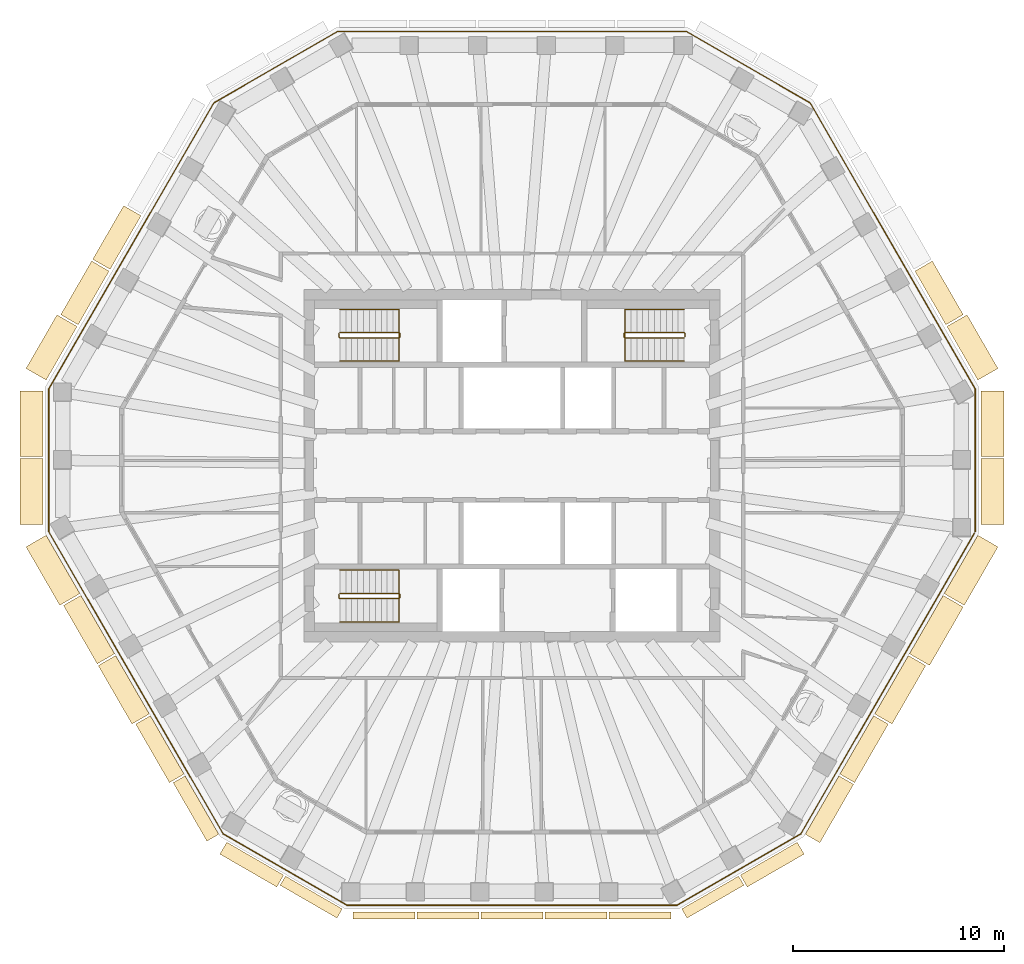
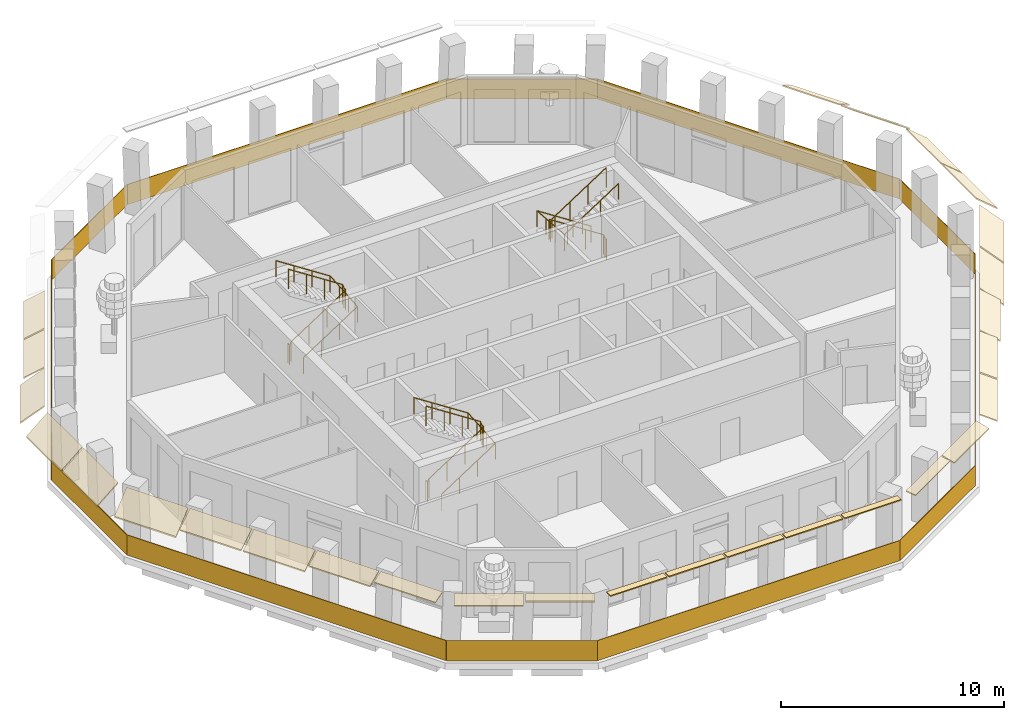
# One storey, part 8 of 11: 28 coverings, 7 railings.
"""IFC4 building model written with IfcOpenShell, lengths in metres."""

from ifc_helpers import new_model, si_unit, direction, frame, origin, origin_2d, place, context, subcontext, project, spatial, polyline, rectangle, circle, outline, extrude, material, layer, layer_set, type_object, element, save


model = new_model("IFC4")

# Units and contexts
model_context = context("Model", 3, precision=1e-05, world=origin(), true_north=direction((0.0, 1.0)))
body_context = subcontext(model_context, "Body", "Model", "MODEL_VIEW")
ifc_project = project(units=[si_unit("LENGTHUNIT", "METRE"), si_unit("AREAUNIT", "SQUARE_METRE"), si_unit("VOLUMEUNIT", "CUBIC_METRE"), si_unit("PLANEANGLEUNIT", "RADIAN"), si_unit("MASSUNIT", "GRAM", prefix="KILO")], contexts=[model_context])

# Site, building, storey
site_placement = place(None, origin())
site = spatial("IfcSite", under=ifc_project, at=site_placement, CompositionType="ELEMENT")
building_placement = place(site_placement, origin())
building = spatial("IfcBuilding", under=site, at=building_placement, Name="Frailejon Research Tower", CompositionType="ELEMENT")
storey_placement = place(building_placement, frame((0.0, 0.0, 316.60009765625)))
storey = spatial("IfcBuildingStorey", under=building, at=storey_placement, Name="L70", CompositionType="ELEMENT", Elevation=316.60009765625)

# Coverings
ifc_material_1 = material(Name="Precast concrete C50/60", Category="concrete")
ifc_layer_1 = layer(ifc_material_1, 0.06005859375)
ifc_layer_set_1 = layer_set([ifc_layer_1], Name="Brim blade depth 1100")
covering_type_1 = type_object("IfcCoveringType", Name="Brim blade depth 1100", PredefinedType="CLADDING", material=ifc_layer_set_1)
for number, where, z_axis, x_axis, name in (
    (1, (22.1953125, 0.3271484375, 3.849853515625), (0.0, -1.0, 0.0), (1.0, 0.0, 0.0), "Brim blade L70"),
    (2, (22.1953125, 3.533203125, 3.849853515625), (0.0, -1.0, 0.0), (1.0, 0.0, 0.0), "Brim blade L70"),
):
    element("IfcCovering", number, at=place(storey_placement, frame(where, z_axis=z_axis, x_axis=x_axis)), inside=storey, type_object=covering_type_1, Name=name, PredefinedType="CLADDING", context=body_context, shape_type="SweptSolid", body=[
        extrude(outline(polyline([(0.0, -0.078369140625), (1.10009765625, -1.001220703125), (1.10009765625, -0.923095703125), (0.0, 0.0), (0.0, -0.078369140625)])), origin(), (0.0, 0.0, 1.0), 3.106201171875),
    ])
for number, where, z_axis, x_axis, name in (
    (3, (20.59228515625, 6.5869140625, 3.849853515625), (0.500007396286, -0.866021133495, 0.0), (0.866021133495, 0.500007396286, 0.0), "Brim blade L70"),
    (4, (-22.056396484375, 4.051513671875, 3.849853515625), (0.500007396286, 0.866021133495, 0.0), (-0.866021133495, 0.500007396286, 0.0), "Brim blade L70"),
):
    element("IfcCovering", number, at=place(storey_placement, frame(where, z_axis=z_axis, x_axis=x_axis)), inside=storey, type_object=covering_type_1, Name=name, PredefinedType="CLADDING", context=body_context, shape_type="SweptSolid", body=[
        extrude(outline(polyline([(0.0, -0.078369140625), (1.10009765625, -1.001220703125), (1.10009765625, -0.923095703125), (0.0, 0.0), (0.0, -0.078369140625)])), origin(), (0.0, 0.0, 1.0), 2.927734375),
    ])
for number, where, z_axis, x_axis, name in (
    (5, (-22.1953125, 0.427001953125, 3.849853515625), (0.0, 1.0, 0.0), (-1.0, 0.0, 0.0), "Brim blade L70"),
    (6, (-22.1953125, -2.779052734375, 3.849853515625), (0.0, 1.0, 0.0), (-1.0, 0.0, 0.0), "Brim blade L70"),
):
    element("IfcCovering", number, at=place(storey_placement, frame(where, z_axis=z_axis, x_axis=x_axis)), inside=storey, type_object=covering_type_1, Name=name, PredefinedType="CLADDING", context=body_context, shape_type="SweptSolid", body=[
        extrude(outline(polyline([(0.0, -0.078369140625), (1.10009765625, -1.001220703125), (1.10009765625, -0.923095703125), (0.0, 0.0), (0.0, -0.078369140625)])), origin(), (0.0, 0.0, 1.0), 3.106201171875),
    ])
for number, where, z_axis, x_axis, name in (
    (7, (-20.4619140625, -6.05908203125, 3.849853515625), (-0.499994411997, 0.866028629995, 0.0), (-0.866028629995, -0.499994411997, 0.0), "Brim blade L70"),
    (8, (20.411865234375, -6.145751953125, 3.849853515625), (-0.499994411997, -0.866028629995, 0.0), (0.866028629995, -0.499994411997, 0.0), "Brim blade L70"),
    (9, (22.056396484375, -3.29736328125, 3.849853515625), (-0.499994411997, -0.866028629995, 0.0), (0.866028629995, -0.499994411997, 0.0), "Brim blade L70"),
):
    element("IfcCovering", number, at=place(storey_placement, frame(where, z_axis=z_axis, x_axis=x_axis)), inside=storey, type_object=covering_type_1, Name=name, PredefinedType="CLADDING", context=body_context, shape_type="SweptSolid", body=[
        extrude(outline(polyline([(0.0, -0.078369140625), (1.10009765625, -1.001220703125), (1.10009765625, -0.923095703125), (0.0, 0.0), (0.0, -0.078369140625)])), origin(), (0.0, 0.0, 1.0), 3.18896484375),
    ])
ifc_material_2 = material(Name="Precast concrete C50/60", Category="concrete")
ifc_layer_2 = layer(ifc_material_2, 0.06005859375)
ifc_layer_set_2 = layer_set([ifc_layer_2], Name="Brim blade depth 350")
covering_type_2 = type_object("IfcCoveringType", Name="Brim blade depth 350", PredefinedType="CLADDING", material=ifc_layer_set_2)
for number, where, z_axis, x_axis, name in (
    (10, (-4.591796875, -21.127197265625, 3.849853515625), (-1.0, 0.0, 0.0), (0.0, -1.0, 0.0), "Brim blade L70"),
    (11, (-1.56396484375, -21.127197265625, 3.849853515625), (-1.0, 0.0, 0.0), (0.0, -1.0, 0.0), "Brim blade L70"),
    (12, (1.4638671875, -21.127197265625, 3.849853515625), (-1.0, 0.0, 0.0), (0.0, -1.0, 0.0), "Brim blade L70"),
    (13, (4.49169921875, -21.127197265625, 3.849853515625), (-1.0, 0.0, 0.0), (0.0, -1.0, 0.0), "Brim blade L70"),
    (14, (7.51953125, -21.127197265625, 3.849853515625), (-1.0, 0.0, 0.0), (0.0, -1.0, 0.0), "Brim blade L70"),
):
    element("IfcCovering", number, at=place(storey_placement, frame(where, z_axis=z_axis, x_axis=x_axis)), inside=storey, type_object=covering_type_2, Name=name, PredefinedType="CLADDING", context=body_context, shape_type="SweptSolid", body=[
        extrude(outline(polyline([(0.0, -0.06005859375), (0.35009765625, -0.06005859375), (0.35009765625, 0.0), (0.0, 0.0), (0.0, -0.06005859375)])), origin(), (0.0, 0.0, 1.0), 2.927734375),
    ])
ifc_material_3 = material(Name="Precast concrete C50/60", Category="concrete")
ifc_layer_3 = layer(ifc_material_3, 0.06005859375)
ifc_layer_set_3 = layer_set([ifc_layer_3], Name="Brim blade depth 500")
covering_type_3 = type_object("IfcCoveringType", Name="Brim blade depth 500", PredefinedType="CLADDING", material=ifc_layer_set_3)
for number, where, z_axis, x_axis, name in (
    (15, (-8.037841796875, -20.98828125, 3.849853515625), (-0.86602716254, 0.499996953734, 0.0), (-0.499996953734, -0.86602716254, 0.0), "Brim blade L70"),
    (16, (10.727783203125, -19.435302734375, 3.849853515625), (-0.86602716254, -0.499996953734, 0.0), (0.499996953734, -0.86602716254, 0.0), "Brim blade L70"),
):
    element("IfcCovering", number, at=place(storey_placement, frame(where, z_axis=z_axis, x_axis=x_axis)), inside=storey, type_object=covering_type_3, Name=name, PredefinedType="CLADDING", context=body_context, shape_type="SweptSolid", body=[
        extrude(outline(polyline([(0.0, -0.060546875), (0.5, -0.130859375), (0.5, -0.0703125), (0.0, 0.0), (0.0, -0.060546875)])), origin(), (0.0, 0.0, 1.0), 3.10595703125),
    ])
ifc_material_4 = material(Name="Precast concrete C50/60", Category="concrete")
ifc_layer_4 = layer(ifc_material_4, 0.06005859375)
ifc_layer_set_4 = layer_set([ifc_layer_4], Name="Brim blade depth 650")
covering_type_4 = type_object("IfcCoveringType", Name="Brim blade depth 650", PredefinedType="CLADDING", material=ifc_layer_set_4)
covering_1_placement = place(storey_placement, frame((-13.8837890625, -17.45263671875, 3.849853515625), z_axis=(-0.499994411997, 0.866028629995, 0.0), x_axis=(-0.866028629995, -0.499994411997, 0.0)))
element("IfcCovering", 17, at=covering_1_placement, inside=storey, type_object=covering_type_4, Name="Brim blade L70", PredefinedType="CLADDING", context=body_context, shape_type="SweptSolid", body=[
    extrude(outline(polyline([(0.0, -0.0625), (0.64990234375, -0.248779296875), (0.64990234375, -0.186279296875), (0.0, 0.0), (0.0, -0.0625)])), origin(), (0.0, 0.0, 1.0), 3.18896484375),
])
for number, where, z_axis, x_axis, name in (
    (18, (-10.814208984375, -19.38525390625, 3.849853515625), (-0.866021454071, 0.500006841041, 0.0), (-0.500006841041, -0.866021454071, 0.0), "Brim blade L70"),
    (19, (13.50439453125, -17.83203125, 3.849853515625), (-0.866021454071, -0.500006841041, 0.0), (0.500006841041, -0.866021454071, 0.0), "Brim blade L70"),
):
    element("IfcCovering", number, at=place(storey_placement, frame(where, z_axis=z_axis, x_axis=x_axis)), inside=storey, type_object=covering_type_4, Name=name, PredefinedType="CLADDING", context=body_context, shape_type="SweptSolid", body=[
        extrude(outline(polyline([(0.0, -0.0625), (0.64990234375, -0.248779296875), (0.64990234375, -0.186279296875), (0.0, 0.0), (0.0, -0.0625)])), origin(), (0.0, 0.0, 1.0), 3.106201171875),
    ])
ifc_material_5 = material(Name="Precast concrete C50/60", Category="concrete")
ifc_layer_5 = layer(ifc_material_5, 0.06005859375)
ifc_layer_set_5 = layer_set([ifc_layer_5], Name="Brim blade depth 800")
covering_type_5 = type_object("IfcCoveringType", Name="Brim blade depth 800", PredefinedType="CLADDING", material=ifc_layer_set_5)
for number, where, z_axis, x_axis, name in (
    (20, (-15.5283203125, -14.604248046875, 3.849853515625), (-0.499994411997, 0.866028629995, 0.0), (-0.866028629995, -0.499994411997, 0.0), "Brim blade L70"),
    (21, (15.478271484375, -14.69091796875, 3.849853515625), (-0.499994411997, -0.866028629995, 0.0), (0.866028629995, -0.499994411997, 0.0), "Brim blade L70"),
    (22, (17.122802734375, -11.842529296875, 3.849853515625), (-0.499994411997, -0.866028629995, 0.0), (0.866028629995, -0.499994411997, 0.0), "Brim blade L70"),
):
    element("IfcCovering", number, at=place(storey_placement, frame(where, z_axis=z_axis, x_axis=x_axis)), inside=storey, type_object=covering_type_5, Name=name, PredefinedType="CLADDING", context=body_context, shape_type="SweptSolid", body=[
        extrude(outline(polyline([(0.0, -0.065673828125), (0.800048828125, -0.421875), (0.800048828125, -0.356201171875), (0.0, 0.0), (0.0, -0.065673828125)])), origin(), (0.0, 0.0, 1.0), 3.18896484375),
    ])
ifc_material_6 = material(Name="Precast concrete C50/60", Category="concrete")
ifc_layer_6 = layer(ifc_material_6, 0.06005859375)
ifc_layer_set_6 = layer_set([ifc_layer_6], Name="Brim blade depth 950")
covering_type_6 = type_object("IfcCoveringType", Name="Brim blade depth 950", PredefinedType="CLADDING", material=ifc_layer_set_6)
for number, where, z_axis, x_axis, name in (
    (23, (19.07861328125, 9.209228515625, 3.849853515625), (0.499993095152, -0.866029390264, 0.0), (0.866029390264, 0.499993095152, 0.0), "Brim blade L70"),
    (24, (-19.028564453125, 9.2958984375, 3.849853515625), (0.500007396286, 0.866021133495, 0.0), (-0.866021133495, 0.500007396286, 0.0), "Brim blade L70"),
    (25, (-20.54248046875, 6.673583984375, 3.849853515625), (0.499993095152, 0.866029390264, 0.0), (-0.866029390264, 0.499993095152, 0.0), "Brim blade L70"),
):
    element("IfcCovering", number, at=place(storey_placement, frame(where, z_axis=z_axis, x_axis=x_axis)), inside=storey, type_object=covering_type_6, Name=name, PredefinedType="CLADDING", context=body_context, shape_type="SweptSolid", body=[
        extrude(outline(polyline([(0.0, -0.07080078125), (0.949951171875, -0.664306640625), (0.949951171875, -0.593505859375), (0.0, 0.0), (0.0, -0.07080078125)])), origin(), (0.0, 0.0, 1.0), 2.927734375),
    ])
covering_2_placement = place(storey_placement, frame((-18.8173828125, -8.907470703125, 3.849853515625), z_axis=(-0.499994411997, 0.866028629995, 0.0), x_axis=(-0.866028629995, -0.499994411997, 0.0)))
element("IfcCovering", 26, at=covering_2_placement, inside=storey, type_object=covering_type_6, Name="Brim blade L70", PredefinedType="CLADDING", context=body_context, shape_type="SweptSolid", body=[
    extrude(outline(polyline([(0.0, -0.07080078125), (0.949951171875, -0.664306640625), (0.949951171875, -0.593505859375), (0.0, 0.0), (0.0, -0.07080078125)])), origin(), (0.0, 0.0, 1.0), 3.18896484375),
])
for number, where, z_axis, x_axis, name in (
    (27, (-17.172607421875, -11.755859375, 3.849853515625), (-0.500017214021, 0.866015465037, 0.0), (-0.866015465037, -0.500017214021, 0.0), "Brim blade L70"),
    (28, (18.767333984375, -8.994140625, 3.849853515625), (-0.500017214021, -0.866015465037, 0.0), (0.866015465037, -0.500017214021, 0.0), "Brim blade L70"),
):
    element("IfcCovering", number, at=place(storey_placement, frame(where, z_axis=z_axis, x_axis=x_axis)), inside=storey, type_object=covering_type_6, Name=name, PredefinedType="CLADDING", context=body_context, shape_type="SweptSolid", body=[
        extrude(outline(polyline([(0.0, -0.07080078125), (0.949951171875, -0.664306640625), (0.949951171875, -0.593505859375), (0.0, 0.0), (0.0, -0.07080078125)])), origin(), (0.0, 0.0, 1.0), 3.189208984375),
    ])

# Railings
ifc_material_7 = material(Name="Laminated glass balustrade", Category="glass")
railing_type_1 = type_object("IfcRailingType", Name="Glass guard 1100", PredefinedType="GUARDRAIL", material=ifc_material_7)
railing_1_placement = place(storey_placement, frame((21.933837890625, -3.1318359375, 0.0)))
element("IfcRailing", 29, at=railing_1_placement, inside=storey, type_object=railing_type_1, Name="Loggia guard L70", PredefinedType="GUARDRAIL", context=body_context, shape_type="SweptSolid", body=[
    extrude(rectangle(XDim=6.766357421875, YDim=0.030029296875, at=origin_2d()), frame((0.0, 3.38330078125, 0.0), z_axis=(0.0, 0.0, 1.0), x_axis=(0.0, 1.0, 0.0)), (0.0, 0.0, 1.0), 1.10009765625),
    extrude(rectangle(XDim=15.638671875, YDim=0.030029296875, at=origin_2d()), frame((-3.90966796875, 13.5380859375, 0.0), z_axis=(0.0, 0.0, 1.0), x_axis=(-0.50000083326, 0.866024922701, 0.0)), (0.0, 0.0, 1.0), 1.10009765625),
    extrude(rectangle(XDim=6.766357421875, YDim=0.030029296875, at=origin_2d()), frame((-10.749267578125, 22.00146484375, 0.0), z_axis=(0.0, 0.0, 1.0), x_axis=(-0.866034171151, 0.499984814167, 0.0)), (0.0, 0.0, 1.0), 1.10009765625),
    extrude(rectangle(XDim=16.50927734375, YDim=0.030029296875, at=origin_2d()), frame((-21.933837890625, 23.69287109375, 0.0), z_axis=(0.0, 0.0, 1.0), x_axis=(-1.0, 0.0, 0.0)), (0.0, 0.0, 1.0), 1.10009765625),
    extrude(rectangle(XDim=6.766357421875, YDim=0.030029296875, at=origin_2d()), frame((-33.118408203125, 22.00146484375, 0.0), z_axis=(0.0, 0.0, 1.0), x_axis=(-0.866034171151, -0.499984814167, 0.0)), (0.0, 0.0, 1.0), 1.10009765625),
    extrude(rectangle(XDim=15.638671875, YDim=0.030029296875, at=origin_2d()), frame((-39.9580078125, 13.5380859375, 0.0), z_axis=(0.0, 0.0, 1.0), x_axis=(-0.50000083326, -0.866024922701, 0.0)), (0.0, 0.0, 1.0), 1.10009765625),
    extrude(rectangle(XDim=6.766357421875, YDim=0.030029296875, at=origin_2d()), frame((-43.86767578125, 3.38330078125, 0.0), z_axis=(0.0, 0.0, 1.0), x_axis=(0.0, -1.0, 0.0)), (0.0, 0.0, 1.0), 1.10009765625),
    extrude(rectangle(XDim=16.50927734375, YDim=0.030029296875, at=origin_2d()), frame((-39.740234375, -7.148681640625, 0.0), z_axis=(0.0, 0.0, 1.0), x_axis=(0.500002368348, -0.866024036414, 0.0)), (0.0, 0.0, 1.0), 1.10009765625),
    extrude(rectangle(XDim=6.7666015625, YDim=0.030029296875, at=origin_2d()), frame((-32.68310546875, -15.989013671875, 0.0), z_axis=(0.0, 0.0, 1.0), x_axis=(0.866027567751, -0.499996251881, 0.0)), (0.0, 0.0, 1.0), 1.10009765625),
    extrude(rectangle(XDim=15.63818359375, YDim=0.030029296875, at=origin_2d()), frame((-21.933837890625, -17.6806640625, 0.0), z_axis=(0.0, 0.0, 1.0), x_axis=(1.0, 0.0, 0.0)), (0.0, 0.0, 1.0), 1.10009765625),
    extrude(rectangle(XDim=6.7666015625, YDim=0.030029296875, at=origin_2d()), frame((-11.1845703125, -15.989013671875, 0.0), z_axis=(0.0, 0.0, 1.0), x_axis=(0.866027567751, 0.499996251881, 0.0)), (0.0, 0.0, 1.0), 1.10009765625),
    extrude(rectangle(XDim=16.439208984375, YDim=0.030029296875, at=origin_2d()), frame((-4.14501953125, -7.178955078125, 0.0), z_axis=(0.0, 0.0, 1.0), x_axis=(0.499993276902, 0.866029285332, 0.0)), (0.0, 0.0, 1.0), 1.10009765625),
])
ifc_material_8 = material(Name="Stainless steel", Category="steel")
railing_type_2 = type_object("IfcRailingType", Name="Stair guard 1100", PredefinedType="GUARDRAIL", material=ifc_material_8)
railing_2_placement = place(storey_placement, frame((-8.199951171875, 6.25, 0.0)))
element("IfcRailing", 30, at=railing_2_placement, inside=storey, type_object=railing_type_2, Name="L70 ST1 stair guard 1", PredefinedType="GUARDRAIL", context=body_context, shape_type="SweptSolid", body=[
    extrude(circle(Radius=0.02392578125, at=origin_2d()), frame((0.0, 0.0, 1.076171875), z_axis=(0.0, -1.0, 0.0), x_axis=(1.0, 0.0, 0.0)), (0.0, 0.0, 1.0), 0.14990234375),
    extrude(circle(Radius=0.02392578125, at=origin_2d()), frame((0.0, -0.14990234375, 1.076171875), z_axis=(0.256734642926, -0.256734642926, 0.931758899203), x_axis=(0.707106781187, 0.707106781187, 0.0)), (0.0, 0.0, 1.0), 0.19482421875),
    extrude(circle(Radius=0.02392578125, at=origin_2d()), frame((0.050048828125, -0.199951171875, 1.2578125), z_axis=(0.838650734948, 0.0, 0.544669573936), x_axis=(0.0, 1.0, 0.0)), (0.0, 0.0, 1.0), 3.33837890625),
    extrude(circle(Radius=0.02392578125, at=origin_2d()), frame((2.849853515625, -0.199951171875, 3.076171875), z_axis=(0.707106781187, 0.707106781187, 0.0), x_axis=(-0.707106781187, 0.707106781187, 0.0)), (0.0, 0.0, 1.0), 0.07080078125),
    extrude(circle(Radius=0.02392578125, at=origin_2d()), frame((2.89990234375, -0.14990234375, 3.076171875), z_axis=(0.0, 1.0, 0.0), x_axis=(-1.0, 0.0, 0.0)), (0.0, 0.0, 1.0), 0.14990234375),
    extrude(circle(Radius=0.02392578125, at=origin_2d()), frame((2.89990234375, 0.0, 3.076171875), z_axis=(-0.256734642926, 0.256734642926, 0.931758899203), x_axis=(-0.707106781187, -0.707106781187, 0.0)), (0.0, 0.0, 1.0), 0.19482421875),
    extrude(circle(Radius=0.02392578125, at=origin_2d()), frame((2.849853515625, 0.050048828125, 3.2578125), z_axis=(-0.838650734948, 0.0, 0.544669573936), x_axis=(0.0, -1.0, 0.0)), (0.0, 0.0, 1.0), 3.33837890625),
    extrude(circle(Radius=0.02099609375, at=origin_2d()), origin(), (0.0, 0.0, 1.0), 1.052001953125),
    extrude(circle(Radius=0.02099609375, at=origin_2d()), frame((0.0, -0.14990234375, 0.0)), (0.0, 0.0, 1.0), 1.052001953125),
    extrude(circle(Radius=0.02099609375, at=origin_2d()), frame((0.050048828125, -0.199951171875, 0.181640625)), (0.0, 0.0, 1.0), 1.052001953125),
    extrude(circle(Radius=0.02099609375, at=origin_2d()), frame((0.9833984375, -0.199951171875, 0.787841796875)), (0.0, 0.0, 1.0), 1.052001953125),
    extrude(circle(Radius=0.02099609375, at=origin_2d()), frame((1.91650390625, -0.199951171875, 1.393798828125)), (0.0, 0.0, 1.0), 1.052001953125),
    extrude(circle(Radius=0.02099609375, at=origin_2d()), frame((2.849853515625, -0.199951171875, 2.0)), (0.0, 0.0, 1.0), 1.052001953125),
    extrude(circle(Radius=0.02099609375, at=origin_2d()), frame((2.89990234375, -0.14990234375, 2.0)), (0.0, 0.0, 1.0), 1.052001953125),
    extrude(circle(Radius=0.02099609375, at=origin_2d()), frame((2.89990234375, 0.0, 2.0)), (0.0, 0.0, 1.0), 1.052001953125),
    extrude(circle(Radius=0.02099609375, at=origin_2d()), frame((2.849853515625, 0.050048828125, 2.181640625)), (0.0, 0.0, 1.0), 1.052001953125),
    extrude(circle(Radius=0.02099609375, at=origin_2d()), frame((1.91650390625, 0.050048828125, 2.787841796875)), (0.0, 0.0, 1.0), 1.052001953125),
    extrude(circle(Radius=0.02099609375, at=origin_2d()), frame((0.9833984375, 0.050048828125, 3.393798828125)), (0.0, 0.0, 1.0), 1.052001953125),
    extrude(circle(Radius=0.02099609375, at=origin_2d()), frame((0.050048828125, 0.050048828125, 4.0)), (0.0, 0.0, 1.0), 1.052001953125),
])
railing_3_placement = place(storey_placement, frame((-8.199951171875, -6.10009765625, 0.0)))
element("IfcRailing", 31, at=railing_3_placement, inside=storey, type_object=railing_type_2, Name="L70 ST2 stair guard 1", PredefinedType="GUARDRAIL", context=body_context, shape_type="SweptSolid", body=[
    extrude(circle(Radius=0.02392578125, at=origin_2d()), frame((0.0, 0.0, 1.076171875), z_axis=(0.0, -1.0, 0.0), x_axis=(1.0, 0.0, 0.0)), (0.0, 0.0, 1.0), 0.14990234375),
    extrude(circle(Radius=0.02392578125, at=origin_2d()), frame((0.0, -0.14990234375, 1.076171875), z_axis=(0.256734642926, -0.256734642926, 0.931758899203), x_axis=(0.707106781187, 0.707106781187, 0.0)), (0.0, 0.0, 1.0), 0.19482421875),
    extrude(circle(Radius=0.02392578125, at=origin_2d()), frame((0.050048828125, -0.199951171875, 1.2578125), z_axis=(0.838650734948, 0.0, 0.544669573936), x_axis=(0.0, 1.0, 0.0)), (0.0, 0.0, 1.0), 3.33837890625),
    extrude(circle(Radius=0.02392578125, at=origin_2d()), frame((2.849853515625, -0.199951171875, 3.076171875), z_axis=(0.707106781187, 0.707106781187, 0.0), x_axis=(-0.707106781187, 0.707106781187, 0.0)), (0.0, 0.0, 1.0), 0.07080078125),
    extrude(circle(Radius=0.02392578125, at=origin_2d()), frame((2.89990234375, -0.14990234375, 3.076171875), z_axis=(0.0, 1.0, 0.0), x_axis=(-1.0, 0.0, 0.0)), (0.0, 0.0, 1.0), 0.14990234375),
    extrude(circle(Radius=0.02392578125, at=origin_2d()), frame((2.89990234375, 0.0, 3.076171875), z_axis=(-0.256734642926, 0.256734642926, 0.931758899203), x_axis=(-0.707106781187, -0.707106781187, 0.0)), (0.0, 0.0, 1.0), 0.19482421875),
    extrude(circle(Radius=0.02392578125, at=origin_2d()), frame((2.849853515625, 0.050048828125, 3.2578125), z_axis=(-0.838650734948, 0.0, 0.544669573936), x_axis=(0.0, -1.0, 0.0)), (0.0, 0.0, 1.0), 3.33837890625),
    extrude(circle(Radius=0.02099609375, at=origin_2d()), origin(), (0.0, 0.0, 1.0), 1.052001953125),
    extrude(circle(Radius=0.02099609375, at=origin_2d()), frame((0.0, -0.14990234375, 0.0)), (0.0, 0.0, 1.0), 1.052001953125),
    extrude(circle(Radius=0.02099609375, at=origin_2d()), frame((0.050048828125, -0.199951171875, 0.181640625)), (0.0, 0.0, 1.0), 1.052001953125),
    extrude(circle(Radius=0.02099609375, at=origin_2d()), frame((0.9833984375, -0.199951171875, 0.787841796875)), (0.0, 0.0, 1.0), 1.052001953125),
    extrude(circle(Radius=0.02099609375, at=origin_2d()), frame((1.91650390625, -0.199951171875, 1.393798828125)), (0.0, 0.0, 1.0), 1.052001953125),
    extrude(circle(Radius=0.02099609375, at=origin_2d()), frame((2.849853515625, -0.199951171875, 2.0)), (0.0, 0.0, 1.0), 1.052001953125),
    extrude(circle(Radius=0.02099609375, at=origin_2d()), frame((2.89990234375, -0.14990234375, 2.0)), (0.0, 0.0, 1.0), 1.052001953125),
    extrude(circle(Radius=0.02099609375, at=origin_2d()), frame((2.89990234375, 0.0, 2.0)), (0.0, 0.0, 1.0), 1.052001953125),
    extrude(circle(Radius=0.02099609375, at=origin_2d()), frame((2.849853515625, 0.050048828125, 2.181640625)), (0.0, 0.0, 1.0), 1.052001953125),
    extrude(circle(Radius=0.02099609375, at=origin_2d()), frame((1.91650390625, 0.050048828125, 2.787841796875)), (0.0, 0.0, 1.0), 1.052001953125),
    extrude(circle(Radius=0.02099609375, at=origin_2d()), frame((0.9833984375, 0.050048828125, 3.393798828125)), (0.0, 0.0, 1.0), 1.052001953125),
    extrude(circle(Radius=0.02099609375, at=origin_2d()), frame((0.050048828125, 0.050048828125, 4.0)), (0.0, 0.0, 1.0), 1.052001953125),
])
railing_4_placement = place(storey_placement, frame((8.199951171875, 6.10009765625, 0.0)))
element("IfcRailing", 32, at=railing_4_placement, inside=storey, type_object=railing_type_2, Name="L70 ST3 stair guard 1", PredefinedType="GUARDRAIL", context=body_context, shape_type="SweptSolid", body=[
    extrude(circle(Radius=0.02392578125, at=origin_2d()), frame((0.0, 0.0, 1.076171875), z_axis=(0.0, 1.0, 0.0), x_axis=(-1.0, 0.0, 0.0)), (0.0, 0.0, 1.0), 0.14990234375),
    extrude(circle(Radius=0.02392578125, at=origin_2d()), frame((0.0, 0.14990234375, 1.076171875), z_axis=(-0.256734642926, 0.256734642926, 0.931758899203), x_axis=(-0.707106781187, -0.707106781187, 0.0)), (0.0, 0.0, 1.0), 0.19482421875),
    extrude(circle(Radius=0.02392578125, at=origin_2d()), frame((-0.050048828125, 0.199951171875, 1.2578125), z_axis=(-0.838650734948, 0.0, 0.544669573936), x_axis=(0.0, -1.0, 0.0)), (0.0, 0.0, 1.0), 3.33837890625),
    extrude(circle(Radius=0.02392578125, at=origin_2d()), frame((-2.849853515625, 0.199951171875, 3.076171875), z_axis=(-0.707106781187, -0.707106781187, 0.0), x_axis=(0.707106781187, -0.707106781187, 0.0)), (0.0, 0.0, 1.0), 0.07080078125),
    extrude(circle(Radius=0.02392578125, at=origin_2d()), frame((-2.89990234375, 0.14990234375, 3.076171875), z_axis=(0.0, -1.0, 0.0), x_axis=(1.0, 0.0, 0.0)), (0.0, 0.0, 1.0), 0.14990234375),
    extrude(circle(Radius=0.02392578125, at=origin_2d()), frame((-2.89990234375, 0.0, 3.076171875), z_axis=(0.256734642926, -0.256734642926, 0.931758899203), x_axis=(0.707106781187, 0.707106781187, 0.0)), (0.0, 0.0, 1.0), 0.19482421875),
    extrude(circle(Radius=0.02392578125, at=origin_2d()), frame((-2.849853515625, -0.050048828125, 3.2578125), z_axis=(0.838650734948, 0.0, 0.544669573936), x_axis=(0.0, 1.0, 0.0)), (0.0, 0.0, 1.0), 3.33837890625),
    extrude(circle(Radius=0.02099609375, at=origin_2d()), origin(), (0.0, 0.0, 1.0), 1.052001953125),
    extrude(circle(Radius=0.02099609375, at=origin_2d()), frame((0.0, 0.14990234375, 0.0)), (0.0, 0.0, 1.0), 1.052001953125),
    extrude(circle(Radius=0.02099609375, at=origin_2d()), frame((-0.050048828125, 0.199951171875, 0.181640625)), (0.0, 0.0, 1.0), 1.052001953125),
    extrude(circle(Radius=0.02099609375, at=origin_2d()), frame((-0.9833984375, 0.199951171875, 0.787841796875)), (0.0, 0.0, 1.0), 1.052001953125),
    extrude(circle(Radius=0.02099609375, at=origin_2d()), frame((-1.91650390625, 0.199951171875, 1.393798828125)), (0.0, 0.0, 1.0), 1.052001953125),
    extrude(circle(Radius=0.02099609375, at=origin_2d()), frame((-2.849853515625, 0.199951171875, 2.0)), (0.0, 0.0, 1.0), 1.052001953125),
    extrude(circle(Radius=0.02099609375, at=origin_2d()), frame((-2.89990234375, 0.14990234375, 2.0)), (0.0, 0.0, 1.0), 1.052001953125),
    extrude(circle(Radius=0.02099609375, at=origin_2d()), frame((-2.89990234375, 0.0, 2.0)), (0.0, 0.0, 1.0), 1.052001953125),
    extrude(circle(Radius=0.02099609375, at=origin_2d()), frame((-2.849853515625, -0.050048828125, 2.181640625)), (0.0, 0.0, 1.0), 1.052001953125),
    extrude(circle(Radius=0.02099609375, at=origin_2d()), frame((-1.91650390625, -0.050048828125, 2.787841796875)), (0.0, 0.0, 1.0), 1.052001953125),
    extrude(circle(Radius=0.02099609375, at=origin_2d()), frame((-0.9833984375, -0.050048828125, 3.393798828125)), (0.0, 0.0, 1.0), 1.052001953125),
    extrude(circle(Radius=0.02099609375, at=origin_2d()), frame((-0.050048828125, -0.050048828125, 4.0)), (0.0, 0.0, 1.0), 1.052001953125),
])
ifc_material_9 = material(Name="Stainless steel", Category="steel")
railing_type_3 = type_object("IfcRailingType", Name="Stair handrail 900", PredefinedType="HANDRAIL", material=ifc_material_9)
railing_5_placement = place(storey_placement, frame((-8.14990234375, 4.949951171875, 0.181640625)))
element("IfcRailing", 33, at=railing_5_placement, inside=storey, type_object=railing_type_3, Name="L70 ST1 stair handrail 1", PredefinedType="HANDRAIL", context=body_context, shape_type="SweptSolid", body=[
    extrude(circle(Radius=0.02392578125, at=origin_2d()), frame((0.0, 0.0, 0.8759765625), z_axis=(0.838650734948, 0.0, 0.544669573936), x_axis=(0.0, 1.0, 0.0)), (0.0, 0.0, 1.0), 3.33837890625),
    extrude(circle(Radius=0.02392578125, at=origin_2d()), frame((2.7998046875, 0.0, 2.6943359375), z_axis=(0.0, 0.997262871482, 0.073937576122), x_axis=(-1.0, 0.0, 0.0)), (0.0, 0.0, 1.0), 2.456787109375),
    extrude(circle(Radius=0.02392578125, at=origin_2d()), frame((2.7998046875, 2.449951171875, 2.8759765625), z_axis=(-0.838650734948, 0.0, 0.544669573936), x_axis=(0.0, -1.0, 0.0)), (0.0, 0.0, 1.0), 3.33837890625),
    extrude(circle(Radius=0.02099609375, at=origin_2d()), origin(), (0.0, 0.0, 1.0), 0.851806640625),
    extrude(circle(Radius=0.02099609375, at=origin_2d()), frame((0.933349609375, 0.0, 0.606201171875)), (0.0, 0.0, 1.0), 0.851806640625),
    extrude(circle(Radius=0.02099609375, at=origin_2d()), frame((1.866455078125, 0.0, 1.212158203125)), (0.0, 0.0, 1.0), 0.851806640625),
    extrude(circle(Radius=0.02099609375, at=origin_2d()), frame((2.7998046875, 0.0, 1.818359375)), (0.0, 0.0, 1.0), 0.851806640625),
    extrude(circle(Radius=0.02099609375, at=origin_2d()), frame((2.7998046875, 0.816650390625, 1.87890625)), (0.0, 0.0, 1.0), 0.851806640625),
    extrude(circle(Radius=0.02099609375, at=origin_2d()), frame((2.7998046875, 1.63330078125, 1.939453125)), (0.0, 0.0, 1.0), 0.851806640625),
    extrude(circle(Radius=0.02099609375, at=origin_2d()), frame((2.7998046875, 2.449951171875, 2.0)), (0.0, 0.0, 1.0), 0.851806640625),
    extrude(circle(Radius=0.02099609375, at=origin_2d()), frame((1.866455078125, 2.449951171875, 2.606201171875)), (0.0, 0.0, 1.0), 0.851806640625),
    extrude(circle(Radius=0.02099609375, at=origin_2d()), frame((0.933349609375, 2.449951171875, 3.212158203125)), (0.0, 0.0, 1.0), 0.851806640625),
    extrude(circle(Radius=0.02099609375, at=origin_2d()), frame((0.0, 2.449951171875, 3.818359375)), (0.0, 0.0, 1.0), 0.851806640625),
])
railing_6_placement = place(storey_placement, frame((-8.14990234375, -7.39990234375, 0.181640625)))
element("IfcRailing", 34, at=railing_6_placement, inside=storey, type_object=railing_type_3, Name="L70 ST2 stair handrail 1", PredefinedType="HANDRAIL", context=body_context, shape_type="SweptSolid", body=[
    extrude(circle(Radius=0.02392578125, at=origin_2d()), frame((0.0, 0.0, 0.8759765625), z_axis=(0.838650734948, 0.0, 0.544669573936), x_axis=(0.0, 1.0, 0.0)), (0.0, 0.0, 1.0), 3.33837890625),
    extrude(circle(Radius=0.02392578125, at=origin_2d()), frame((2.7998046875, 0.0, 2.6943359375), z_axis=(0.0, 0.997262871482, 0.073937576122), x_axis=(-1.0, 0.0, 0.0)), (0.0, 0.0, 1.0), 2.456787109375),
    extrude(circle(Radius=0.02392578125, at=origin_2d()), frame((2.7998046875, 2.449951171875, 2.8759765625), z_axis=(-0.838650734948, 0.0, 0.544669573936), x_axis=(0.0, -1.0, 0.0)), (0.0, 0.0, 1.0), 3.33837890625),
    extrude(circle(Radius=0.02099609375, at=origin_2d()), origin(), (0.0, 0.0, 1.0), 0.851806640625),
    extrude(circle(Radius=0.02099609375, at=origin_2d()), frame((0.933349609375, 0.0, 0.606201171875)), (0.0, 0.0, 1.0), 0.851806640625),
    extrude(circle(Radius=0.02099609375, at=origin_2d()), frame((1.866455078125, 0.0, 1.212158203125)), (0.0, 0.0, 1.0), 0.851806640625),
    extrude(circle(Radius=0.02099609375, at=origin_2d()), frame((2.7998046875, 0.0, 1.818359375)), (0.0, 0.0, 1.0), 0.851806640625),
    extrude(circle(Radius=0.02099609375, at=origin_2d()), frame((2.7998046875, 0.816650390625, 1.87890625)), (0.0, 0.0, 1.0), 0.851806640625),
    extrude(circle(Radius=0.02099609375, at=origin_2d()), frame((2.7998046875, 1.63330078125, 1.939453125)), (0.0, 0.0, 1.0), 0.851806640625),
    extrude(circle(Radius=0.02099609375, at=origin_2d()), frame((2.7998046875, 2.449951171875, 2.0)), (0.0, 0.0, 1.0), 0.851806640625),
    extrude(circle(Radius=0.02099609375, at=origin_2d()), frame((1.866455078125, 2.449951171875, 2.606201171875)), (0.0, 0.0, 1.0), 0.851806640625),
    extrude(circle(Radius=0.02099609375, at=origin_2d()), frame((0.933349609375, 2.449951171875, 3.212158203125)), (0.0, 0.0, 1.0), 0.851806640625),
    extrude(circle(Radius=0.02099609375, at=origin_2d()), frame((0.0, 2.449951171875, 3.818359375)), (0.0, 0.0, 1.0), 0.851806640625),
])
railing_7_placement = place(storey_placement, frame((8.14990234375, 7.39990234375, 0.181640625)))
element("IfcRailing", 35, at=railing_7_placement, inside=storey, type_object=railing_type_3, Name="L70 ST3 stair handrail 1", PredefinedType="HANDRAIL", context=body_context, shape_type="SweptSolid", body=[
    extrude(circle(Radius=0.02392578125, at=origin_2d()), frame((0.0, 0.0, 0.8759765625), z_axis=(-0.838650734948, 0.0, 0.544669573936), x_axis=(0.0, -1.0, 0.0)), (0.0, 0.0, 1.0), 3.33837890625),
    extrude(circle(Radius=0.02392578125, at=origin_2d()), frame((-2.7998046875, 0.0, 2.6943359375), z_axis=(0.0, -0.997262871482, 0.073937576122), x_axis=(1.0, 0.0, 0.0)), (0.0, 0.0, 1.0), 2.456787109375),
    extrude(circle(Radius=0.02392578125, at=origin_2d()), frame((-2.7998046875, -2.449951171875, 2.8759765625), z_axis=(0.838650734948, 0.0, 0.544669573936), x_axis=(0.0, 1.0, 0.0)), (0.0, 0.0, 1.0), 3.33837890625),
    extrude(circle(Radius=0.02099609375, at=origin_2d()), origin(), (0.0, 0.0, 1.0), 0.851806640625),
    extrude(circle(Radius=0.02099609375, at=origin_2d()), frame((-0.933349609375, 0.0, 0.606201171875)), (0.0, 0.0, 1.0), 0.851806640625),
    extrude(circle(Radius=0.02099609375, at=origin_2d()), frame((-1.866455078125, 0.0, 1.212158203125)), (0.0, 0.0, 1.0), 0.851806640625),
    extrude(circle(Radius=0.02099609375, at=origin_2d()), frame((-2.7998046875, 0.0, 1.818359375)), (0.0, 0.0, 1.0), 0.851806640625),
    extrude(circle(Radius=0.02099609375, at=origin_2d()), frame((-2.7998046875, -0.816650390625, 1.87890625)), (0.0, 0.0, 1.0), 0.851806640625),
    extrude(circle(Radius=0.02099609375, at=origin_2d()), frame((-2.7998046875, -1.63330078125, 1.939453125)), (0.0, 0.0, 1.0), 0.851806640625),
    extrude(circle(Radius=0.02099609375, at=origin_2d()), frame((-2.7998046875, -2.449951171875, 2.0)), (0.0, 0.0, 1.0), 0.851806640625),
    extrude(circle(Radius=0.02099609375, at=origin_2d()), frame((-1.866455078125, -2.449951171875, 2.606201171875)), (0.0, 0.0, 1.0), 0.851806640625),
    extrude(circle(Radius=0.02099609375, at=origin_2d()), frame((-0.933349609375, -2.449951171875, 3.212158203125)), (0.0, 0.0, 1.0), 0.851806640625),
    extrude(circle(Radius=0.02099609375, at=origin_2d()), frame((0.0, -2.449951171875, 3.818359375)), (0.0, 0.0, 1.0), 0.851806640625),
])

save(model, "model.ifc")
